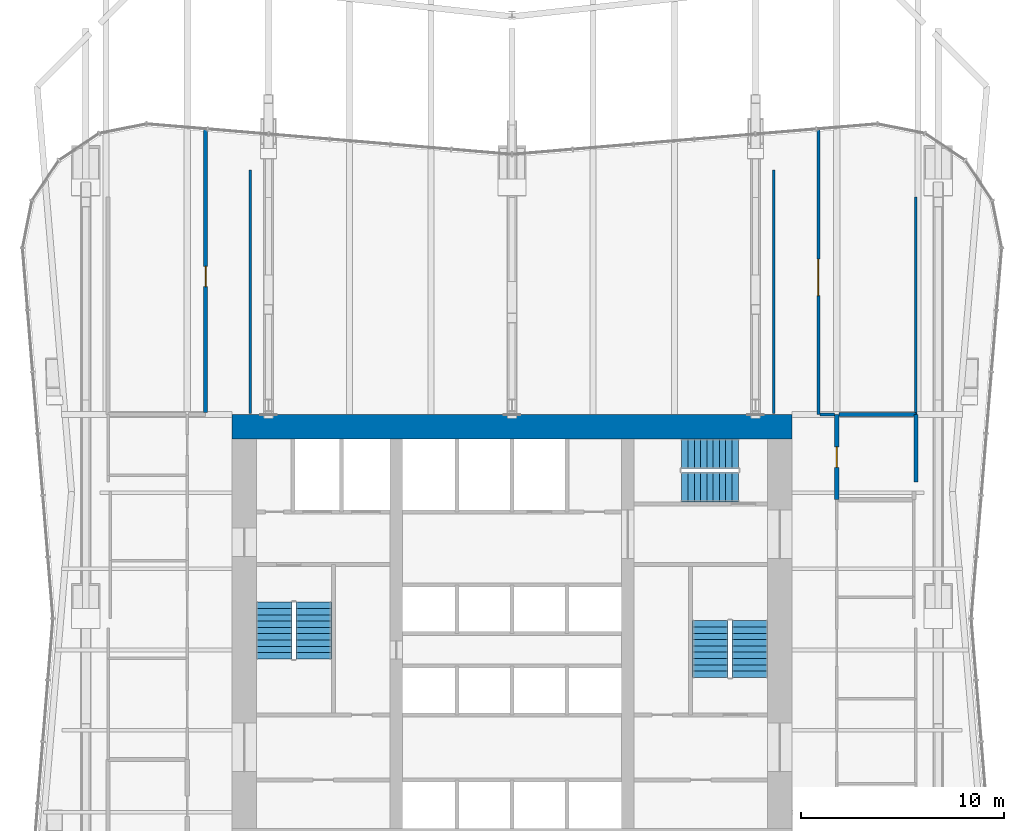
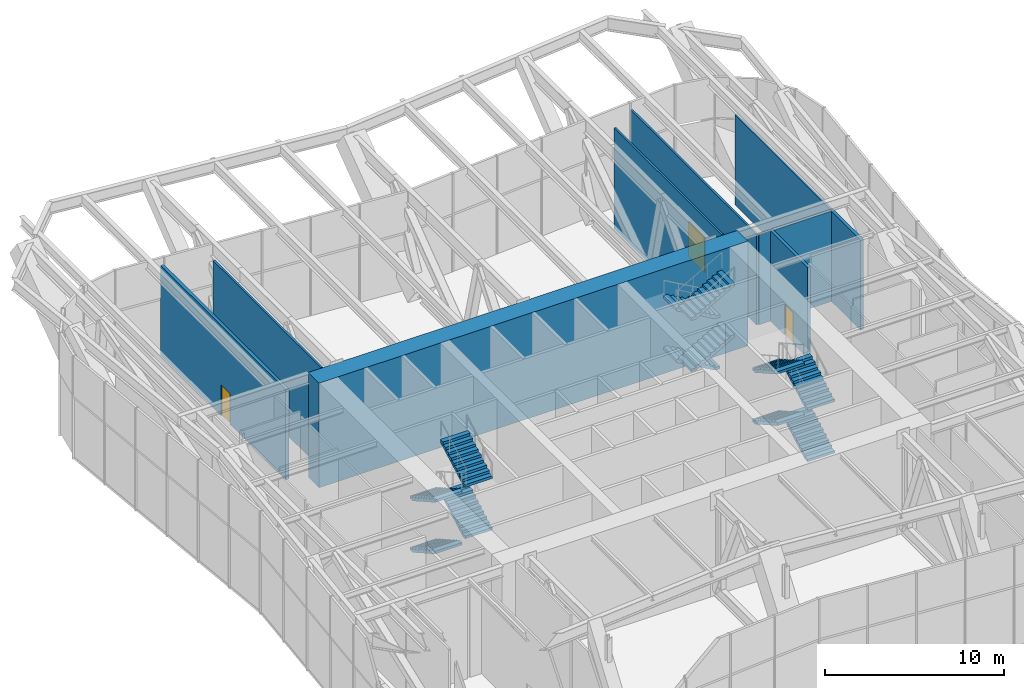
# One storey, part 14 of 17: 12 stair flights, 10 walls, 3 doors, 3 openings, 3 elements without a shape of their own.
"""IFC4 building model written with IfcOpenShell, lengths in metres."""

from ifc_helpers import new_model, si_unit, direction, frame, frame_2d, origin, place, context, subcontext, project, spatial, polyline, rectangle, outline, extrude, material, layer, layer_set, type_object, element, fill, aggregate, save


model = new_model("IFC4")

# Units and contexts
model_context = context("Model", 3, precision=1e-05, world=origin(), true_north=direction((0.0, 1.0)))
body_context = subcontext(model_context, "Body", "Model", "MODEL_VIEW")
ifc_project = project(units=[si_unit("LENGTHUNIT", "METRE"), si_unit("AREAUNIT", "SQUARE_METRE"), si_unit("VOLUMEUNIT", "CUBIC_METRE"), si_unit("PLANEANGLEUNIT", "RADIAN"), si_unit("MASSUNIT", "GRAM", prefix="KILO")], contexts=[model_context])

# Site, building, storey
site_placement = place(None, origin())
site = spatial("IfcSite", under=ifc_project, at=site_placement, CompositionType="ELEMENT")
building_placement = place(site_placement, origin())
building = spatial("IfcBuilding", under=site, at=building_placement, Name="Verdant Reach Tower", CompositionType="ELEMENT")
storey_placement = place(building_placement, frame((0.0, 0.0, 114.0)))
storey = spatial("IfcBuildingStorey", under=building, at=storey_placement, Name="L26 Plant", CompositionType="ELEMENT", Elevation=114.0)

# Wall
ifc_material_1 = material(Name="Concrete C70/85", Category="concrete")
ifc_layer_1 = layer(ifc_material_1, 1.199951171875)
ifc_layer_set_1 = layer_set([ifc_layer_1], Name="ST-CORE-WALL-1200")
wall_type_1 = type_object("IfcWallType", Name="ST-CORE-WALL-1200", PredefinedType="SHEAR", material=ifc_layer_set_1)
wall_1_placement = place(storey_placement, frame((-13.800048828125, 38.199951171875, -0.25), z_axis=(0.0, 0.0, 1.0), x_axis=(1.0, 0.0, 0.0)))
element("IfcWall", 1, at=wall_1_placement, inside=storey, type_object=wall_type_1, Name="Core wall N, L26 Plant", PredefinedType="SHEAR", context=body_context, shape_type="SweptSolid", body=[
    extrude(rectangle(XDim=27.60009765625, YDim=1.199951171875, at=frame_2d((13.800048828125, 0.0))), origin(), (0.0, 0.0, 1.0), 7.1201171875),
])

# Wall, opening, door
ifc_material_2 = material(Name="Gypsum board on steel studs, fire rated", Category="steel")
ifc_layer_2 = layer(ifc_material_2, 0.125)
ifc_layer_set_2 = layer_set([ifc_layer_2], Name="SV-W2 Plant wall 125 EI 60")
wall_type_2 = type_object("IfcWallType", Name="SV-W2 Plant wall 125 EI 60", PredefinedType="PARTITIONING", material=ifc_layer_set_2)
wall_2_placement = place(storey_placement, frame((15.10009765625, 38.800048828125, 0.0), z_axis=(0.0, 0.0, 1.0), x_axis=(0.0, 1.0, 0.0)))
wall_2 = element("IfcWall", 2, at=wall_2_placement, inside=storey, type_object=wall_type_2, Name="Partition L26.08", PredefinedType="PARTITIONING", context=body_context, shape_type="SweptSolid", body=[
    extrude(rectangle(XDim=14.038330078125, YDim=0.125, at=frame_2d((7.01904296875, 0.0))), origin(), (0.0, 0.0, 1.0), 6.139892578125),
])
opening_1_placement = place(wall_2_placement, frame((5.853515625, 0.0, 0.0)))
opening_1 = element("IfcOpeningElement", 3, at=opening_1_placement, cuts=wall_2, Name="Opening SD3", PredefinedType="OPENING", context=body_context, shape_type="SweptSolid", body=[
    extrude(rectangle(XDim=1.800048828125, YDim=2.39990234375, at=frame_2d((0.89990234375, 1.199951171875))), frame((0.0, 0.072509765625, 0.0), z_axis=(0.0, -1.0, 0.0), x_axis=(1.0, 0.0, 0.0)), (0.0, 0.0, 1.0), 0.14501953125),
])
ifc_material_3 = material(Name="Steel door leaves, fire rated", Category="steel")
door_type_1 = type_object("IfcDoorType", Name="SV-D3 Equipment door 1800x2400 FD60", OperationType="DOUBLE_DOOR_SINGLE_SWING", PredefinedType="DOOR", material=ifc_material_3)
door_1_placement = place(opening_1_placement, origin())
door_1 = element("IfcDoor", 4, at=door_1_placement, inside=storey, type_object=door_type_1, Name="Door L26-007", OperationType="DOUBLE_DOOR_SINGLE_SWING", OverallHeight=2.39990234375, OverallWidth=1.800048828125, PredefinedType="DOOR", context=body_context, shape_type="SweptSolid", body=[
    extrude(rectangle(XDim=1.800048828125, YDim=2.39990234375, at=frame_2d((0.89990234375, 1.199951171875))), frame((0.0, 0.02490234375, 0.0), z_axis=(0.0, -1.0, 0.0), x_axis=(1.0, 0.0, 0.0)), (0.0, 0.0, 1.0), 0.050048828125),
])
fill(opening_1, door_1)

# Walls
wall_3_placement = place(storey_placement, frame((15.16259765625, 38.800048828125, 0.0), z_axis=(0.0, 0.0, 1.0), x_axis=(1.0, 0.0, 0.0)))
element("IfcWall", 5, at=wall_3_placement, inside=storey, type_object=wall_type_2, Name="Partition L26.09", PredefinedType="PARTITIONING", context=body_context, shape_type="SweptSolid", body=[
    extrude(rectangle(XDim=0.7373046875, YDim=0.125, at=frame_2d((0.36865234375, 0.0))), origin(), (0.0, 0.0, 1.0), 6.139892578125),
])
wall_4_placement = place(storey_placement, frame((12.89990234375, 38.85009765625, 0.0), z_axis=(0.0, 0.0, 1.0), x_axis=(0.0, 1.0, 0.0)))
element("IfcWall", 6, at=wall_4_placement, inside=storey, type_object=wall_type_2, Name="Partition L26.33", PredefinedType="PARTITIONING", context=body_context, shape_type="SweptSolid", body=[
    extrude(rectangle(XDim=12.0078125, YDim=0.125, at=frame_2d((6.00390625, 0.0))), origin(), (0.0, 0.0, 1.0), 6.8701171875),
])
wall_5_placement = place(storey_placement, frame((19.89990234375, 49.52197265625, 0.0), z_axis=(0.0, 0.0, 1.0), x_axis=(0.0, -1.0, 0.0)))
element("IfcWall", 7, at=wall_5_placement, inside=storey, type_object=wall_type_2, Name="Partition L26.43", PredefinedType="PARTITIONING", context=body_context, shape_type="SweptSolid", body=[
    extrude(rectangle(XDim=10.719970703125, YDim=0.125, at=frame_2d((5.35986328125, 0.0))), origin(), (0.0, 0.0, 1.0), 6.139892578125),
])
wall_6_placement = place(storey_placement, frame((-12.89990234375, 50.85791015625, 0.0), z_axis=(0.0, 0.0, 1.0), x_axis=(0.0, -1.0, 0.0)))
element("IfcWall", 8, at=wall_6_placement, inside=storey, type_object=wall_type_2, Name="Partition L26.44", PredefinedType="PARTITIONING", context=body_context, shape_type="SweptSolid", body=[
    extrude(rectangle(XDim=12.0078125, YDim=0.125, at=frame_2d((6.00390625, 0.0))), origin(), (0.0, 0.0, 1.0), 6.8701171875),
])

# Wall, opening, door
ifc_material_4 = material(Name="Calcium silicate board on steel studs, fire rated", Category="steel")
ifc_layer_3 = layer(ifc_material_4, 0.199951171875)
ifc_layer_set_3 = layer_set([ifc_layer_3], Name="SV-W3 Fire wall 200 EI 120")
wall_type_3 = type_object("IfcWallType", Name="SV-W3 Fire wall 200 EI 120", PredefinedType="PARTITIONING", material=ifc_layer_set_3)
wall_7_placement = place(storey_placement, frame((16.0, 34.60009765625, 0.0), z_axis=(0.0, 0.0, 1.0), x_axis=(0.0, 1.0, 0.0)))
wall_7 = element("IfcWall", 9, at=wall_7_placement, inside=storey, type_object=wall_type_3, Name="Partition L26.05", PredefinedType="PARTITIONING", context=body_context, shape_type="SweptSolid", body=[
    extrude(rectangle(XDim=4.199951171875, YDim=0.199951171875, at=frame_2d((2.10009765625, 0.0))), origin(), (0.0, 0.0, 1.0), 6.139892578125),
])
opening_2_placement = place(wall_7_placement, frame((1.60009765625, 0.0, 0.0)))
opening_2 = element("IfcOpeningElement", 10, at=opening_2_placement, cuts=wall_7, Name="Opening SD4", PredefinedType="OPENING", context=body_context, shape_type="SweptSolid", body=[
    extrude(rectangle(XDim=1.0, YDim=2.10009765625, at=frame_2d((0.5, 1.050048828125))), frame((0.0, 0.10986328125, 0.0), z_axis=(0.0, -1.0, 0.0), x_axis=(1.0, 0.0, 0.0)), (0.0, 0.0, 1.0), 0.219970703125),
])
ifc_material_5 = material(Name="Steel door leaf, fire rated", Category="steel")
door_type_2 = type_object("IfcDoorType", Name="SV-D4 Door 1000x2100 FD120", OperationType="NOTDEFINED", PredefinedType="DOOR", material=ifc_material_5)
door_2_placement = place(opening_2_placement, origin())
door_2 = element("IfcDoor", 11, at=door_2_placement, inside=storey, type_object=door_type_2, Name="Door L26-005", OperationType="SINGLE_SWING_LEFT", OverallHeight=2.10009765625, OverallWidth=1.0, PredefinedType="DOOR", context=body_context, shape_type="SweptSolid", body=[
    extrude(rectangle(XDim=1.0, YDim=2.10009765625, at=frame_2d((0.5, 1.050048828125))), frame((0.0, 0.02490234375, 0.0), z_axis=(0.0, -1.0, 0.0), x_axis=(1.0, 0.0, 0.0)), (0.0, 0.0, 1.0), 0.050048828125),
])
fill(opening_2, door_2)

# Wall
wall_8_placement = place(storey_placement, frame((16.10009765625, 38.800048828125, 0.0), z_axis=(0.0, 0.0, 1.0), x_axis=(1.0, 0.0, 0.0)))
element("IfcWall", 12, at=wall_8_placement, inside=storey, type_object=wall_type_3, Name="Partition L26.15", PredefinedType="PARTITIONING", context=body_context, shape_type="SweptSolid", body=[
    extrude(rectangle(XDim=3.7998046875, YDim=0.199951171875, at=frame_2d((1.89990234375, 0.0))), origin(), (0.0, 0.0, 1.0), 6.139892578125),
])

# Wall, opening, door
wall_9_placement = place(storey_placement, frame((-15.10009765625, 52.83837890625, 0.0), z_axis=(0.0, 0.0, 1.0), x_axis=(0.0, -1.0, 0.0)))
wall_9 = element("IfcWall", 13, at=wall_9_placement, inside=storey, type_object=wall_type_3, Name="Partition L26.24", PredefinedType="PARTITIONING", context=body_context, shape_type="SweptSolid", body=[
    extrude(rectangle(XDim=13.9384765625, YDim=0.199951171875, at=frame_2d((6.96923828125, 0.0))), origin(), (0.0, 0.0, 1.0), 6.139892578125),
])
opening_3_placement = place(wall_9_placement, frame((6.73486328125, 0.0, 0.0)))
opening_3 = element("IfcOpeningElement", 14, at=opening_3_placement, cuts=wall_9, Name="Opening SD4", PredefinedType="OPENING", context=body_context, shape_type="SweptSolid", body=[
    extrude(rectangle(XDim=1.0, YDim=2.10009765625, at=frame_2d((0.5, 1.050048828125))), frame((0.0, 0.10986328125, 0.0), z_axis=(0.0, -1.0, 0.0), x_axis=(1.0, 0.0, 0.0)), (0.0, 0.0, 1.0), 0.219970703125),
])
door_3_placement = place(opening_3_placement, origin())
door_3 = element("IfcDoor", 15, at=door_3_placement, inside=storey, type_object=door_type_2, Name="Door L26-014", OperationType="SINGLE_SWING_RIGHT", OverallHeight=2.10009765625, OverallWidth=1.0, PredefinedType="DOOR", context=body_context, shape_type="SweptSolid", body=[
    extrude(rectangle(XDim=1.0, YDim=2.10009765625, at=frame_2d((0.5, 1.050048828125))), frame((0.0, 0.02490234375, 0.0), z_axis=(0.0, -1.0, 0.0), x_axis=(1.0, 0.0, 0.0)), (0.0, 0.0, 1.0), 0.050048828125),
])
fill(opening_3, door_3)

# Wall
wall_10_placement = place(storey_placement, frame((19.89990234375, 38.798095703125, 0.0), z_axis=(0.0, 0.0, 1.0), x_axis=(0.0, -1.0, 0.0)))
element("IfcWall", 16, at=wall_10_placement, inside=storey, type_object=wall_type_3, Name="Partition L26.39", PredefinedType="PARTITIONING", context=body_context, shape_type="SweptSolid", body=[
    extrude(rectangle(XDim=3.320068359375, YDim=0.199951171875, at=frame_2d((1.66015625, 0.0))), origin(), (0.0, 0.0, 1.0), 6.139892578125),
])

# Stair, stair flights
ifc_material_6 = material(Name="Concrete C40/50", Category="concrete")
stair_type = type_object("IfcStairType", Name="CO-STAIR", PredefinedType="HALF_TURN_STAIR", material=ifc_material_6)
stair_1_placement = place(storey_placement, origin())
stair_1 = element("IfcStair", 17, at=stair_1_placement, inside=storey, type_object=stair_type, Name="L26 Plant Exit stair 1", PredefinedType="HALF_TURN_STAIR")
stair_flight_type = type_object("IfcStairFlightType", Name="CO-STAIR-FLIGHT", PredefinedType="STRAIGHT", material=ifc_material_6)
stair_flight_1_placement = place(storey_placement, frame((-11.72509765625, 29.550048828125, 0.0), z_axis=(0.0, 0.0, 1.0), x_axis=(0.0, -1.0, 0.0)))
stair_flight_1 = element("IfcStairFlight", 18, at=stair_flight_1_placement, type_object=stair_flight_type, Name="ST-1 flight 1", NumberOfRisers=10, NumberOfTreads=9, PredefinedType="STRAIGHT", RiserHeight=0.175, TreadLength=0.31, context=body_context, shape_type="SweptSolid", body=[
    extrude(outline(polyline([(0.0, 0.0), (0.0, 0.175048828125), (0.31005859375, 0.175048828125), (0.31005859375, 0.35009765625), (0.6201171875, 0.35009765625), (0.6201171875, 0.52490234375), (0.929931640625, 0.52490234375), (0.929931640625, 0.699951171875), (1.239990234375, 0.699951171875), (1.239990234375, 0.875), (1.550048828125, 0.875), (1.550048828125, 1.050048828125), (1.860107421875, 1.050048828125), (1.860107421875, 1.22509765625), (2.169921875, 1.22509765625), (2.169921875, 1.39990234375), (2.47998046875, 1.39990234375), (2.47998046875, 1.574951171875), (2.7900390625, 1.574951171875), (2.7900390625, 1.75), (2.7900390625, 1.40283203125), (0.304931640625, 0.0), (0.0, 0.0)])), frame((0.0, 0.875, 0.0), z_axis=(0.0, -1.0, 0.0), x_axis=(1.0, 0.0, 0.0)), (0.0, 0.0, 1.0), 1.75),
])
stair_flight_2_placement = place(storey_placement, frame((-9.77490234375, 26.760009765625, 1.75), z_axis=(0.0, 0.0, 1.0), x_axis=(0.0, 1.0, 0.0)))
stair_flight_2 = element("IfcStairFlight", 19, at=stair_flight_2_placement, type_object=stair_flight_type, Name="ST-1 flight 2", NumberOfRisers=10, NumberOfTreads=9, PredefinedType="STRAIGHT", RiserHeight=0.175, TreadLength=0.31, context=body_context, shape_type="SweptSolid", body=[
    extrude(outline(polyline([(0.0, 0.0), (0.0, 0.175048828125), (0.31005859375, 0.175048828125), (0.31005859375, 0.35009765625), (0.6201171875, 0.35009765625), (0.6201171875, 0.52490234375), (0.929931640625, 0.52490234375), (0.929931640625, 0.699951171875), (1.239990234375, 0.699951171875), (1.239990234375, 0.875), (1.550048828125, 0.875), (1.550048828125, 1.050048828125), (1.860107421875, 1.050048828125), (1.860107421875, 1.22509765625), (2.169921875, 1.22509765625), (2.169921875, 1.39990234375), (2.47998046875, 1.39990234375), (2.47998046875, 1.574951171875), (2.7900390625, 1.574951171875), (2.7900390625, 1.75), (2.7900390625, 1.40283203125), (0.304931640625, 0.0), (0.0, 0.0)])), frame((0.0, 0.875, 0.0), z_axis=(0.0, -1.0, 0.0), x_axis=(1.0, 0.0, 0.0)), (0.0, 0.0, 1.0), 1.75),
])
stair_flight_3_placement = place(storey_placement, frame((-11.72509765625, 29.550048828125, 3.5), z_axis=(0.0, 0.0, 1.0), x_axis=(0.0, -1.0, 0.0)))
stair_flight_3 = element("IfcStairFlight", 20, at=stair_flight_3_placement, type_object=stair_flight_type, Name="ST-1 flight 3", NumberOfRisers=10, NumberOfTreads=9, PredefinedType="STRAIGHT", RiserHeight=0.175, TreadLength=0.31, context=body_context, shape_type="SweptSolid", body=[
    extrude(outline(polyline([(0.0, 0.0), (0.0, 0.175048828125), (0.31005859375, 0.175048828125), (0.31005859375, 0.35009765625), (0.6201171875, 0.35009765625), (0.6201171875, 0.52490234375), (0.929931640625, 0.52490234375), (0.929931640625, 0.699951171875), (1.239990234375, 0.699951171875), (1.239990234375, 0.875), (1.550048828125, 0.875), (1.550048828125, 1.050048828125), (1.860107421875, 1.050048828125), (1.860107421875, 1.22509765625), (2.169921875, 1.22509765625), (2.169921875, 1.39990234375), (2.47998046875, 1.39990234375), (2.47998046875, 1.574951171875), (2.7900390625, 1.574951171875), (2.7900390625, 1.75), (2.7900390625, 1.40283203125), (0.304931640625, 0.0), (0.0, 0.0)])), frame((0.0, 0.875, 0.0), z_axis=(0.0, -1.0, 0.0), x_axis=(1.0, 0.0, 0.0)), (0.0, 0.0, 1.0), 1.75),
])
stair_flight_4_placement = place(storey_placement, frame((-9.77490234375, 26.760009765625, 5.25), z_axis=(0.0, 0.0, 1.0), x_axis=(0.0, 1.0, 0.0)))
stair_flight_4 = element("IfcStairFlight", 21, at=stair_flight_4_placement, type_object=stair_flight_type, Name="ST-1 flight 4", NumberOfRisers=10, NumberOfTreads=9, PredefinedType="STRAIGHT", RiserHeight=0.175, TreadLength=0.31, context=body_context, shape_type="SweptSolid", body=[
    extrude(outline(polyline([(0.0, 0.0), (0.0, 0.175048828125), (0.31005859375, 0.175048828125), (0.31005859375, 0.35009765625), (0.6201171875, 0.35009765625), (0.6201171875, 0.52490234375), (0.929931640625, 0.52490234375), (0.929931640625, 0.699951171875), (1.239990234375, 0.699951171875), (1.239990234375, 0.875), (1.550048828125, 0.875), (1.550048828125, 1.050048828125), (1.860107421875, 1.050048828125), (1.860107421875, 1.22509765625), (2.169921875, 1.22509765625), (2.169921875, 1.39990234375), (2.47998046875, 1.39990234375), (2.47998046875, 1.574951171875), (2.7900390625, 1.574951171875), (2.7900390625, 1.75), (2.7900390625, 1.40283203125), (0.304931640625, 0.0), (0.0, 0.0)])), frame((0.0, 0.875, 0.0), z_axis=(0.0, -1.0, 0.0), x_axis=(1.0, 0.0, 0.0)), (0.0, 0.0, 1.0), 1.75),
])
aggregate(stair_1, [stair_flight_1, stair_flight_2, stair_flight_3, stair_flight_4])

stair_2_placement = place(storey_placement, origin())
stair_2 = element("IfcStair", 22, at=stair_2_placement, inside=storey, type_object=stair_type, Name="L26 Plant Exit stair 2", PredefinedType="HALF_TURN_STAIR")
stair_flight_5_placement = place(storey_placement, frame((11.72509765625, 25.85009765625, 0.0), z_axis=(0.0, 0.0, 1.0), x_axis=(0.0, 1.0, 0.0)))
stair_flight_5 = element("IfcStairFlight", 23, at=stair_flight_5_placement, type_object=stair_flight_type, Name="ST-2 flight 1", NumberOfRisers=10, NumberOfTreads=9, PredefinedType="STRAIGHT", RiserHeight=0.175, TreadLength=0.31, context=body_context, shape_type="SweptSolid", body=[
    extrude(outline(polyline([(0.0, 0.0), (0.0, 0.175048828125), (0.31005859375, 0.175048828125), (0.31005859375, 0.35009765625), (0.6201171875, 0.35009765625), (0.6201171875, 0.52490234375), (0.929931640625, 0.52490234375), (0.929931640625, 0.699951171875), (1.239990234375, 0.699951171875), (1.239990234375, 0.875), (1.550048828125, 0.875), (1.550048828125, 1.050048828125), (1.860107421875, 1.050048828125), (1.860107421875, 1.22509765625), (2.169921875, 1.22509765625), (2.169921875, 1.39990234375), (2.47998046875, 1.39990234375), (2.47998046875, 1.574951171875), (2.7900390625, 1.574951171875), (2.7900390625, 1.75), (2.7900390625, 1.40283203125), (0.304931640625, 0.0), (0.0, 0.0)])), frame((0.0, 0.875, 0.0), z_axis=(0.0, -1.0, 0.0), x_axis=(1.0, 0.0, 0.0)), (0.0, 0.0, 1.0), 1.75),
])
stair_flight_6_placement = place(storey_placement, frame((9.77490234375, 28.639892578125, 1.75), z_axis=(0.0, 0.0, 1.0), x_axis=(0.0, -1.0, 0.0)))
stair_flight_6 = element("IfcStairFlight", 24, at=stair_flight_6_placement, type_object=stair_flight_type, Name="ST-2 flight 2", NumberOfRisers=10, NumberOfTreads=9, PredefinedType="STRAIGHT", RiserHeight=0.175, TreadLength=0.31, context=body_context, shape_type="SweptSolid", body=[
    extrude(outline(polyline([(0.0, 0.0), (0.0, 0.175048828125), (0.31005859375, 0.175048828125), (0.31005859375, 0.35009765625), (0.6201171875, 0.35009765625), (0.6201171875, 0.52490234375), (0.929931640625, 0.52490234375), (0.929931640625, 0.699951171875), (1.239990234375, 0.699951171875), (1.239990234375, 0.875), (1.550048828125, 0.875), (1.550048828125, 1.050048828125), (1.860107421875, 1.050048828125), (1.860107421875, 1.22509765625), (2.169921875, 1.22509765625), (2.169921875, 1.39990234375), (2.47998046875, 1.39990234375), (2.47998046875, 1.574951171875), (2.7900390625, 1.574951171875), (2.7900390625, 1.75), (2.7900390625, 1.40283203125), (0.304931640625, 0.0), (0.0, 0.0)])), frame((0.0, 0.875, 0.0), z_axis=(0.0, -1.0, 0.0), x_axis=(1.0, 0.0, 0.0)), (0.0, 0.0, 1.0), 1.75),
])
stair_flight_7_placement = place(storey_placement, frame((11.72509765625, 25.85009765625, 3.5), z_axis=(0.0, 0.0, 1.0), x_axis=(0.0, 1.0, 0.0)))
stair_flight_7 = element("IfcStairFlight", 25, at=stair_flight_7_placement, type_object=stair_flight_type, Name="ST-2 flight 3", NumberOfRisers=10, NumberOfTreads=9, PredefinedType="STRAIGHT", RiserHeight=0.175, TreadLength=0.31, context=body_context, shape_type="SweptSolid", body=[
    extrude(outline(polyline([(0.0, 0.0), (0.0, 0.175048828125), (0.31005859375, 0.175048828125), (0.31005859375, 0.35009765625), (0.6201171875, 0.35009765625), (0.6201171875, 0.52490234375), (0.929931640625, 0.52490234375), (0.929931640625, 0.699951171875), (1.239990234375, 0.699951171875), (1.239990234375, 0.875), (1.550048828125, 0.875), (1.550048828125, 1.050048828125), (1.860107421875, 1.050048828125), (1.860107421875, 1.22509765625), (2.169921875, 1.22509765625), (2.169921875, 1.39990234375), (2.47998046875, 1.39990234375), (2.47998046875, 1.574951171875), (2.7900390625, 1.574951171875), (2.7900390625, 1.75), (2.7900390625, 1.40283203125), (0.304931640625, 0.0), (0.0, 0.0)])), frame((0.0, 0.875, 0.0), z_axis=(0.0, -1.0, 0.0), x_axis=(1.0, 0.0, 0.0)), (0.0, 0.0, 1.0), 1.75),
])
stair_flight_8_placement = place(storey_placement, frame((9.77490234375, 28.639892578125, 5.25), z_axis=(0.0, 0.0, 1.0), x_axis=(0.0, -1.0, 0.0)))
stair_flight_8 = element("IfcStairFlight", 26, at=stair_flight_8_placement, type_object=stair_flight_type, Name="ST-2 flight 4", NumberOfRisers=10, NumberOfTreads=9, PredefinedType="STRAIGHT", RiserHeight=0.175, TreadLength=0.31, context=body_context, shape_type="SweptSolid", body=[
    extrude(outline(polyline([(0.0, 0.0), (0.0, 0.175048828125), (0.31005859375, 0.175048828125), (0.31005859375, 0.35009765625), (0.6201171875, 0.35009765625), (0.6201171875, 0.52490234375), (0.929931640625, 0.52490234375), (0.929931640625, 0.699951171875), (1.239990234375, 0.699951171875), (1.239990234375, 0.875), (1.550048828125, 0.875), (1.550048828125, 1.050048828125), (1.860107421875, 1.050048828125), (1.860107421875, 1.22509765625), (2.169921875, 1.22509765625), (2.169921875, 1.39990234375), (2.47998046875, 1.39990234375), (2.47998046875, 1.574951171875), (2.7900390625, 1.574951171875), (2.7900390625, 1.75), (2.7900390625, 1.40283203125), (0.304931640625, 0.0), (0.0, 0.0)])), frame((0.0, 0.875, 0.0), z_axis=(0.0, -1.0, 0.0), x_axis=(1.0, 0.0, 0.0)), (0.0, 0.0, 1.0), 1.75),
])
aggregate(stair_2, [stair_flight_5, stair_flight_6, stair_flight_7, stair_flight_8])

stair_3_placement = place(storey_placement, origin())
stair_3 = element("IfcStair", 27, at=stair_3_placement, inside=storey, type_object=stair_type, Name="L26 Plant Exit stair 3", PredefinedType="HALF_TURN_STAIR")
stair_flight_9_placement = place(storey_placement, frame((11.14990234375, 36.875, 0.0), z_axis=(0.0, 0.0, 1.0), x_axis=(-1.0, 0.0, 0.0)))
stair_flight_9 = element("IfcStairFlight", 28, at=stair_flight_9_placement, type_object=stair_flight_type, Name="ST-3 flight 1", NumberOfRisers=10, NumberOfTreads=9, PredefinedType="STRAIGHT", RiserHeight=0.175, TreadLength=0.31, context=body_context, shape_type="SweptSolid", body=[
    extrude(outline(polyline([(0.0, 0.0), (0.0, 0.175048828125), (0.31005859375, 0.175048828125), (0.31005859375, 0.35009765625), (0.6201171875, 0.35009765625), (0.6201171875, 0.52490234375), (0.929931640625, 0.52490234375), (0.929931640625, 0.699951171875), (1.239990234375, 0.699951171875), (1.239990234375, 0.875), (1.550048828125, 0.875), (1.550048828125, 1.050048828125), (1.860107421875, 1.050048828125), (1.860107421875, 1.22509765625), (2.169921875, 1.22509765625), (2.169921875, 1.39990234375), (2.47998046875, 1.39990234375), (2.47998046875, 1.574951171875), (2.7900390625, 1.574951171875), (2.7900390625, 1.75), (2.7900390625, 1.40283203125), (0.304931640625, 0.0), (0.0, 0.0)])), frame((0.0, 0.72509765625, 0.0), z_axis=(0.0, -1.0, 0.0), x_axis=(1.0, 0.0, 0.0)), (0.0, 0.0, 1.0), 1.449951171875),
])
stair_flight_10_placement = place(storey_placement, frame((8.360107421875, 35.22509765625, 1.75), z_axis=(0.0, 0.0, 1.0), x_axis=(1.0, 0.0, 0.0)))
stair_flight_10 = element("IfcStairFlight", 29, at=stair_flight_10_placement, type_object=stair_flight_type, Name="ST-3 flight 2", NumberOfRisers=10, NumberOfTreads=9, PredefinedType="STRAIGHT", RiserHeight=0.175, TreadLength=0.31, context=body_context, shape_type="SweptSolid", body=[
    extrude(outline(polyline([(0.0, 0.0), (0.0, 0.175048828125), (0.31005859375, 0.175048828125), (0.31005859375, 0.35009765625), (0.6201171875, 0.35009765625), (0.6201171875, 0.52490234375), (0.929931640625, 0.52490234375), (0.929931640625, 0.699951171875), (1.239990234375, 0.699951171875), (1.239990234375, 0.875), (1.550048828125, 0.875), (1.550048828125, 1.050048828125), (1.860107421875, 1.050048828125), (1.860107421875, 1.22509765625), (2.169921875, 1.22509765625), (2.169921875, 1.39990234375), (2.47998046875, 1.39990234375), (2.47998046875, 1.574951171875), (2.7900390625, 1.574951171875), (2.7900390625, 1.75), (2.7900390625, 1.40283203125), (0.304931640625, 0.0), (0.0, 0.0)])), frame((0.0, 0.72509765625, 0.0), z_axis=(0.0, -1.0, 0.0), x_axis=(1.0, 0.0, 0.0)), (0.0, 0.0, 1.0), 1.449951171875),
])
stair_flight_11_placement = place(storey_placement, frame((11.14990234375, 36.875, 3.5), z_axis=(0.0, 0.0, 1.0), x_axis=(-1.0, 0.0, 0.0)))
stair_flight_11 = element("IfcStairFlight", 30, at=stair_flight_11_placement, type_object=stair_flight_type, Name="ST-3 flight 3", NumberOfRisers=10, NumberOfTreads=9, PredefinedType="STRAIGHT", RiserHeight=0.175, TreadLength=0.31, context=body_context, shape_type="SweptSolid", body=[
    extrude(outline(polyline([(0.0, 0.0), (0.0, 0.175048828125), (0.31005859375, 0.175048828125), (0.31005859375, 0.35009765625), (0.6201171875, 0.35009765625), (0.6201171875, 0.52490234375), (0.929931640625, 0.52490234375), (0.929931640625, 0.699951171875), (1.239990234375, 0.699951171875), (1.239990234375, 0.875), (1.550048828125, 0.875), (1.550048828125, 1.050048828125), (1.860107421875, 1.050048828125), (1.860107421875, 1.22509765625), (2.169921875, 1.22509765625), (2.169921875, 1.39990234375), (2.47998046875, 1.39990234375), (2.47998046875, 1.574951171875), (2.7900390625, 1.574951171875), (2.7900390625, 1.75), (2.7900390625, 1.40283203125), (0.304931640625, 0.0), (0.0, 0.0)])), frame((0.0, 0.72509765625, 0.0), z_axis=(0.0, -1.0, 0.0), x_axis=(1.0, 0.0, 0.0)), (0.0, 0.0, 1.0), 1.449951171875),
])
stair_flight_12_placement = place(storey_placement, frame((8.360107421875, 35.22509765625, 5.25), z_axis=(0.0, 0.0, 1.0), x_axis=(1.0, 0.0, 0.0)))
stair_flight_12 = element("IfcStairFlight", 31, at=stair_flight_12_placement, type_object=stair_flight_type, Name="ST-3 flight 4", NumberOfRisers=10, NumberOfTreads=9, PredefinedType="STRAIGHT", RiserHeight=0.175, TreadLength=0.31, context=body_context, shape_type="SweptSolid", body=[
    extrude(outline(polyline([(0.0, 0.0), (0.0, 0.175048828125), (0.31005859375, 0.175048828125), (0.31005859375, 0.35009765625), (0.6201171875, 0.35009765625), (0.6201171875, 0.52490234375), (0.929931640625, 0.52490234375), (0.929931640625, 0.699951171875), (1.239990234375, 0.699951171875), (1.239990234375, 0.875), (1.550048828125, 0.875), (1.550048828125, 1.050048828125), (1.860107421875, 1.050048828125), (1.860107421875, 1.22509765625), (2.169921875, 1.22509765625), (2.169921875, 1.39990234375), (2.47998046875, 1.39990234375), (2.47998046875, 1.574951171875), (2.7900390625, 1.574951171875), (2.7900390625, 1.75), (2.7900390625, 1.40283203125), (0.304931640625, 0.0), (0.0, 0.0)])), frame((0.0, 0.72509765625, 0.0), z_axis=(0.0, -1.0, 0.0), x_axis=(1.0, 0.0, 0.0)), (0.0, 0.0, 1.0), 1.449951171875),
])
aggregate(stair_3, [stair_flight_9, stair_flight_10, stair_flight_11, stair_flight_12])

save(model, "model.ifc")
